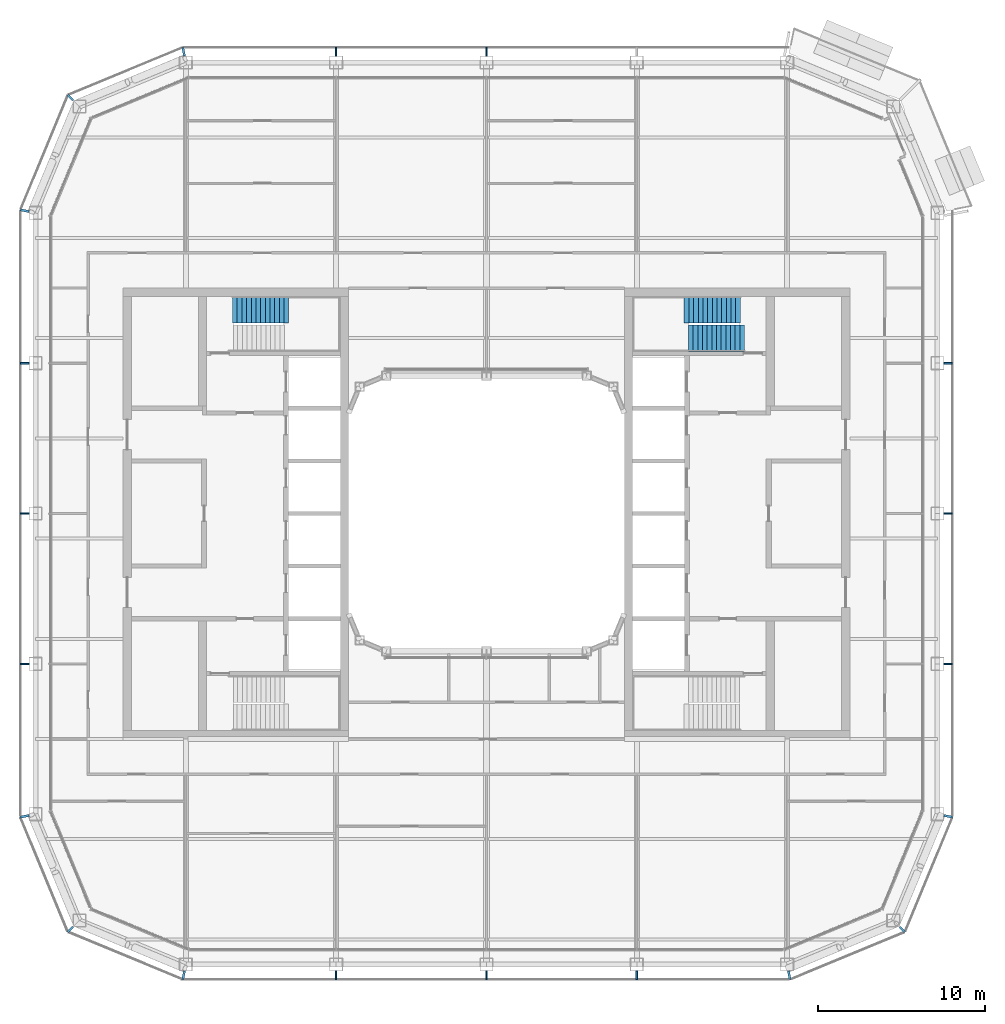
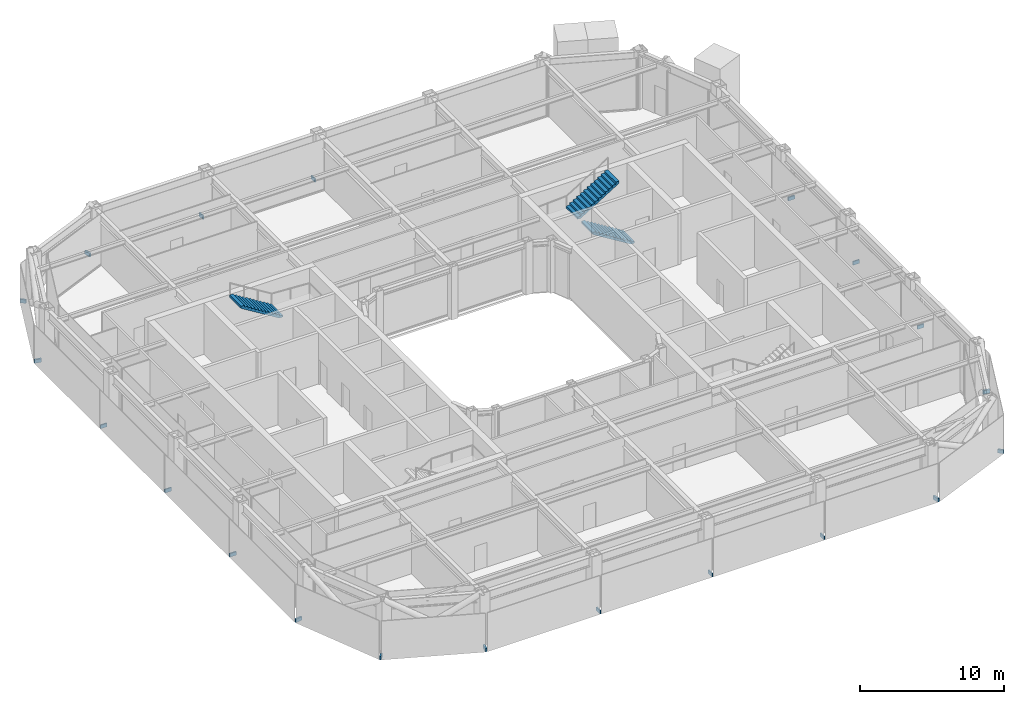
# One storey, part 16 of 23: 20 discrete accessories, 3 stair flights, 2 elements without a shape of their own.
"""IFC4 building model written with IfcOpenShell, lengths in metres."""

from ifc_helpers import new_model, si_unit, direction, frame, origin, origin_2d, place, context, subcontext, project, spatial, polyline, rectangle, outline, extrude, material, type_object, element, aggregate, save


model = new_model("IFC4")

# Units and contexts
model_context = context("Model", 3, precision=1e-05, world=origin(), true_north=direction((0.0, 1.0)))
body_context = subcontext(model_context, "Body", "Model", "MODEL_VIEW")
ifc_project = project(units=[si_unit("LENGTHUNIT", "METRE"), si_unit("AREAUNIT", "SQUARE_METRE"), si_unit("VOLUMEUNIT", "CUBIC_METRE"), si_unit("PLANEANGLEUNIT", "RADIAN"), si_unit("MASSUNIT", "GRAM", prefix="KILO")], contexts=[model_context])

# Site, building, storey
site_placement = place(None, origin())
site = spatial("IfcSite", under=ifc_project, at=site_placement, CompositionType="ELEMENT")
building_placement = place(site_placement, origin())
building = spatial("IfcBuilding", under=site, at=building_placement, Name="Siwar Civic Tower", CompositionType="ELEMENT")
storey_placement = place(building_placement, frame((0.0, 0.0, 242.199951171875)))
storey = spatial("IfcBuildingStorey", under=building, at=storey_placement, Name="L52", CompositionType="ELEMENT", Elevation=242.199951171875)

# Stair, stair flight
ifc_material_1 = material(Name="Concrete C40/50", Category="concrete")
stair_type = type_object("IfcStairType", Name="CORE-STAIR", PredefinedType="TWO_STRAIGHT_RUN_STAIR", material=ifc_material_1)
stair_1_placement = place(storey_placement, origin())
stair_1 = element("IfcStair", 1, at=stair_1_placement, inside=storey, type_object=stair_type, Name="Exit stair ST1", PredefinedType="TWO_STRAIGHT_RUN_STAIR")
ifc_material_2 = material(Name="Concrete C40/50", Category="concrete")
stair_flight_type = type_object("IfcStairFlightType", Name="CORE-STAIR-FLIGHT", PredefinedType="STRAIGHT", material=ifc_material_2)
stair_flight_1_placement = place(storey_placement, frame((-11.840087890625, 12.199951171875, 2.25), z_axis=(0.0, 0.0, 1.0), x_axis=(-1.0, 0.0, 0.0)))
stair_flight_1 = element("IfcStairFlight", 2, at=stair_flight_1_placement, type_object=stair_flight_type, Name="ST1 flight 2", NumberOfRisers=13, NumberOfTreads=12, PredefinedType="STRAIGHT", RiserHeight=0.173076923, TreadLength=0.28, context=body_context, shape_type="SweptSolid", body=[
    extrude(outline(polyline([(0.0, 0.0), (0.0, 0.173095703125), (0.280029296875, 0.173095703125), (0.280029296875, 0.34619140625), (0.56005859375, 0.34619140625), (0.56005859375, 0.519287109375), (0.840087890625, 0.519287109375), (0.840087890625, 0.6923828125), (1.1201171875, 0.6923828125), (1.1201171875, 0.865478515625), (1.39990234375, 0.865478515625), (1.39990234375, 1.03857421875), (1.679931640625, 1.03857421875), (1.679931640625, 1.21142578125), (1.9599609375, 1.21142578125), (1.9599609375, 1.384521484375), (2.239990234375, 1.384521484375), (2.239990234375, 1.5576171875), (2.52001953125, 1.5576171875), (2.52001953125, 1.730712890625), (2.800048828125, 1.730712890625), (2.800048828125, 1.90380859375), (3.080078125, 1.90380859375), (3.080078125, 2.076904296875), (3.360107421875, 2.076904296875), (3.360107421875, 2.25), (3.360107421875, 1.900634765625), (0.28515625, 0.0), (0.0, 0.0)])), frame((0.0, 0.800048828125, 0.0), z_axis=(0.0, -1.0, 0.0), x_axis=(1.0, 0.0, 0.0)), (0.0, 0.0, 1.0), 1.60009765625),
])
aggregate(stair_1, [stair_flight_1])

# Stair, stair flights
stair_2_placement = place(storey_placement, origin())
stair_2 = element("IfcStair", 3, at=stair_2_placement, inside=storey, type_object=stair_type, Name="Exit stair ST3", PredefinedType="TWO_STRAIGHT_RUN_STAIR")
stair_flight_2_placement = place(storey_placement, frame((15.449951171875, 10.5, 0.0), z_axis=(0.0, 0.0, 1.0), x_axis=(-1.0, 0.0, 0.0)))
stair_flight_2 = element("IfcStairFlight", 4, at=stair_flight_2_placement, type_object=stair_flight_type, Name="ST3 flight 1", NumberOfRisers=13, NumberOfTreads=12, PredefinedType="STRAIGHT", RiserHeight=0.173076923, TreadLength=0.28, context=body_context, shape_type="SweptSolid", body=[
    extrude(outline(polyline([(0.0, 0.0), (0.0, 0.173095703125), (0.280029296875, 0.173095703125), (0.280029296875, 0.34619140625), (0.56005859375, 0.34619140625), (0.56005859375, 0.519287109375), (0.840087890625, 0.519287109375), (0.840087890625, 0.6923828125), (1.1201171875, 0.6923828125), (1.1201171875, 0.865478515625), (1.39990234375, 0.865478515625), (1.39990234375, 1.03857421875), (1.679931640625, 1.03857421875), (1.679931640625, 1.21142578125), (1.9599609375, 1.21142578125), (1.9599609375, 1.384521484375), (2.239990234375, 1.384521484375), (2.239990234375, 1.5576171875), (2.52001953125, 1.5576171875), (2.52001953125, 1.730712890625), (2.800048828125, 1.730712890625), (2.800048828125, 1.90380859375), (3.080078125, 1.90380859375), (3.080078125, 2.076904296875), (3.360107421875, 2.076904296875), (3.360107421875, 2.25), (3.360107421875, 1.900634765625), (0.28515625, 0.0), (0.0, 0.0)])), frame((0.0, 0.800048828125, 0.0), z_axis=(0.0, -1.0, 0.0), x_axis=(1.0, 0.0, 0.0)), (0.0, 0.0, 1.0), 1.60009765625),
])
stair_flight_3_placement = place(storey_placement, frame((11.840087890625, 12.199951171875, 2.25), z_axis=(0.0, 0.0, 1.0), x_axis=(1.0, 0.0, 0.0)))
stair_flight_3 = element("IfcStairFlight", 5, at=stair_flight_3_placement, type_object=stair_flight_type, Name="ST3 flight 2", NumberOfRisers=13, NumberOfTreads=12, PredefinedType="STRAIGHT", RiserHeight=0.173076923, TreadLength=0.28, context=body_context, shape_type="SweptSolid", body=[
    extrude(outline(polyline([(0.0, 0.0), (0.0, 0.173095703125), (0.280029296875, 0.173095703125), (0.280029296875, 0.34619140625), (0.56005859375, 0.34619140625), (0.56005859375, 0.519287109375), (0.840087890625, 0.519287109375), (0.840087890625, 0.6923828125), (1.1201171875, 0.6923828125), (1.1201171875, 0.865478515625), (1.39990234375, 0.865478515625), (1.39990234375, 1.03857421875), (1.679931640625, 1.03857421875), (1.679931640625, 1.21142578125), (1.9599609375, 1.21142578125), (1.9599609375, 1.384521484375), (2.239990234375, 1.384521484375), (2.239990234375, 1.5576171875), (2.52001953125, 1.5576171875), (2.52001953125, 1.730712890625), (2.800048828125, 1.730712890625), (2.800048828125, 1.90380859375), (3.080078125, 1.90380859375), (3.080078125, 2.076904296875), (3.360107421875, 2.076904296875), (3.360107421875, 2.25), (3.360107421875, 1.900634765625), (0.28515625, 0.0), (0.0, 0.0)])), frame((0.0, 0.800048828125, 0.0), z_axis=(0.0, -1.0, 0.0), x_axis=(1.0, 0.0, 0.0)), (0.0, 0.0, 1.0), 1.60009765625),
])
aggregate(stair_2, [stair_flight_2, stair_flight_3])

# Discrete accessories
ifc_material_3 = material(Name="Stainless steel 316", Category="steel")
discrete_accessory_type = type_object("IfcDiscreteAccessoryType", Name="ENV-BRACKET", PredefinedType="BRACKET", material=ifc_material_3)
for number, where, z_axis, x_axis, name in (
    (6, (27.639892578125, -9.0, -0.14990234375), (0.0, 0.0, 1.0), (1.0, 0.0, 0.0), "Bracket outer skin joint E-01"),
    (7, (27.639892578125, 0.0, -0.14990234375), (0.0, 0.0, 1.0), (1.0, 0.0, 0.0), "Bracket outer skin joint E-02"),
    (8, (27.639892578125, 9.0, -0.14990234375), (0.0, 0.0, 1.0), (1.0, 0.0, 0.0), "Bracket outer skin joint E-03"),
    (9, (0.0, 27.639892578125, -0.14990234375), (0.0, 0.0, 1.0), (0.0, 1.0, 0.0), "Bracket outer skin joint N-02"),
    (10, (-9.0, 27.639892578125, -0.14990234375), (0.0, 0.0, 1.0), (0.0, 1.0, 0.0), "Bracket outer skin joint N-03"),
    (11, (-9.0, -27.639892578125, -0.14990234375), (0.0, 0.0, 1.0), (0.0, -1.0, 0.0), "Bracket outer skin joint S-01"),
    (12, (0.0, -27.639892578125, -0.14990234375), (0.0, 0.0, 1.0), (0.0, -1.0, 0.0), "Bracket outer skin joint S-02"),
    (13, (9.0, -27.639892578125, -0.14990234375), (0.0, 0.0, 1.0), (0.0, -1.0, 0.0), "Bracket outer skin joint S-03"),
):
    element("IfcDiscreteAccessory", number, at=place(storey_placement, frame(where, z_axis=z_axis, x_axis=x_axis)), inside=storey, type_object=discrete_accessory_type, Name=name, PredefinedType="BRACKET", context=body_context, shape_type="SweptSolid", body=[
        extrude(rectangle(XDim=0.52001953125, YDim=0.10009765625, at=origin_2d()), origin(), (0.0, 0.0, 1.0), 0.300048828125),
    ])
for number, where, z_axis, x_axis, name in (
    (14, (-18.12744140625, -27.64013671875, -0.14990234375), (0.0, 0.0, 1.0), (-0.195090322016, -0.980785280403, 0.0), "Bracket outer skin joint V00"),
    (15, (18.12744140625, -27.64013671875, -0.14990234375), (0.0, 0.0, 1.0), (0.195090322016, -0.980785280403, 0.0), "Bracket outer skin joint V01"),
):
    element("IfcDiscreteAccessory", number, at=place(storey_placement, frame(where, z_axis=z_axis, x_axis=x_axis)), inside=storey, type_object=discrete_accessory_type, Name=name, PredefinedType="BRACKET", context=body_context, shape_type="SweptSolid", body=[
        extrude(rectangle(XDim=0.52978515625, YDim=0.13720703125, at=origin_2d()), origin(), (0.0, 0.0, 1.0), 0.300048828125),
    ])
discrete_accessory_1_placement = place(storey_placement, frame((24.9013671875, -24.9013671875, -0.14990234375), z_axis=(0.0, 0.0, 1.0), x_axis=(0.707106781187, -0.707106781187, 0.0)))
element("IfcDiscreteAccessory", 16, at=discrete_accessory_1_placement, inside=storey, type_object=discrete_accessory_type, Name="Bracket outer skin joint V02", PredefinedType="BRACKET", context=body_context, shape_type="SweptSolid", body=[
    extrude(rectangle(XDim=0.428466796875, YDim=0.12939453125, at=origin_2d()), origin(), (0.0, 0.0, 1.0), 0.300048828125),
])
for number, where, z_axis, x_axis, name in (
    (17, (27.64013671875, -18.12744140625, -0.14990234375), (0.0, 0.0, 1.0), (0.980785280403, -0.195090322016, 0.0), "Bracket outer skin joint V03"),
    (18, (-18.12744140625, 27.64013671875, -0.14990234375), (0.0, 0.0, 1.0), (-0.195090322016, 0.980785280403, 0.0), "Bracket outer skin joint V07"),
):
    element("IfcDiscreteAccessory", number, at=place(storey_placement, frame(where, z_axis=z_axis, x_axis=x_axis)), inside=storey, type_object=discrete_accessory_type, Name=name, PredefinedType="BRACKET", context=body_context, shape_type="SweptSolid", body=[
        extrude(rectangle(XDim=0.52978515625, YDim=0.13720703125, at=origin_2d()), origin(), (0.0, 0.0, 1.0), 0.300048828125),
    ])
discrete_accessory_2_placement = place(storey_placement, frame((-24.9013671875, 24.9013671875, -0.14990234375), z_axis=(0.0, 0.0, 1.0), x_axis=(-0.707106781187, 0.707106781187, 0.0)))
element("IfcDiscreteAccessory", 19, at=discrete_accessory_2_placement, inside=storey, type_object=discrete_accessory_type, Name="Bracket outer skin joint V08", PredefinedType="BRACKET", context=body_context, shape_type="SweptSolid", body=[
    extrude(rectangle(XDim=0.428466796875, YDim=0.12939453125, at=origin_2d()), origin(), (0.0, 0.0, 1.0), 0.300048828125),
])
for number, where, z_axis, x_axis, name in (
    (20, (-27.64013671875, 18.12744140625, -0.14990234375), (0.0, 0.0, 1.0), (-0.980785280403, 0.195090322016, 0.0), "Bracket outer skin joint V09"),
    (21, (-27.64013671875, -18.12744140625, -0.14990234375), (0.0, 0.0, 1.0), (-0.980785280403, -0.195090322016, 0.0), "Bracket outer skin joint V10"),
):
    element("IfcDiscreteAccessory", number, at=place(storey_placement, frame(where, z_axis=z_axis, x_axis=x_axis)), inside=storey, type_object=discrete_accessory_type, Name=name, PredefinedType="BRACKET", context=body_context, shape_type="SweptSolid", body=[
        extrude(rectangle(XDim=0.52978515625, YDim=0.13720703125, at=origin_2d()), origin(), (0.0, 0.0, 1.0), 0.300048828125),
    ])
discrete_accessory_3_placement = place(storey_placement, frame((-24.9013671875, -24.9013671875, -0.14990234375), z_axis=(0.0, 0.0, 1.0), x_axis=(-0.707106781187, -0.707106781187, 0.0)))
element("IfcDiscreteAccessory", 22, at=discrete_accessory_3_placement, inside=storey, type_object=discrete_accessory_type, Name="Bracket outer skin joint V11", PredefinedType="BRACKET", context=body_context, shape_type="SweptSolid", body=[
    extrude(rectangle(XDim=0.428466796875, YDim=0.12939453125, at=origin_2d()), origin(), (0.0, 0.0, 1.0), 0.300048828125),
])
for number, where, z_axis, x_axis, name in (
    (23, (-27.639892578125, 9.0, -0.14990234375), (0.0, 0.0, 1.0), (-1.0, 0.0, 0.0), "Bracket outer skin joint W-01"),
    (24, (-27.639892578125, 0.0, -0.14990234375), (0.0, 0.0, 1.0), (-1.0, 0.0, 0.0), "Bracket outer skin joint W-02"),
    (25, (-27.639892578125, -9.0, -0.14990234375), (0.0, 0.0, 1.0), (-1.0, 0.0, 0.0), "Bracket outer skin joint W-03"),
):
    element("IfcDiscreteAccessory", number, at=place(storey_placement, frame(where, z_axis=z_axis, x_axis=x_axis)), inside=storey, type_object=discrete_accessory_type, Name=name, PredefinedType="BRACKET", context=body_context, shape_type="SweptSolid", body=[
        extrude(rectangle(XDim=0.52001953125, YDim=0.10009765625, at=origin_2d()), origin(), (0.0, 0.0, 1.0), 0.300048828125),
    ])

save(model, "model.ifc")
